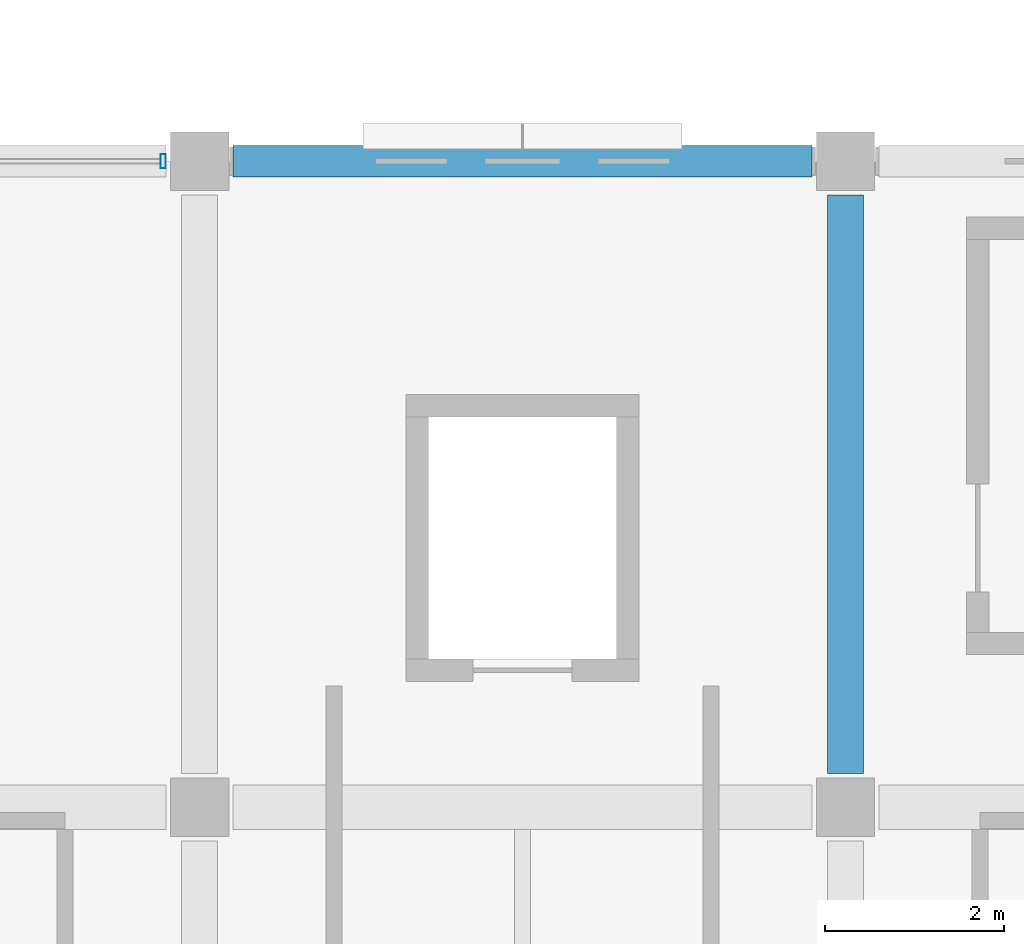
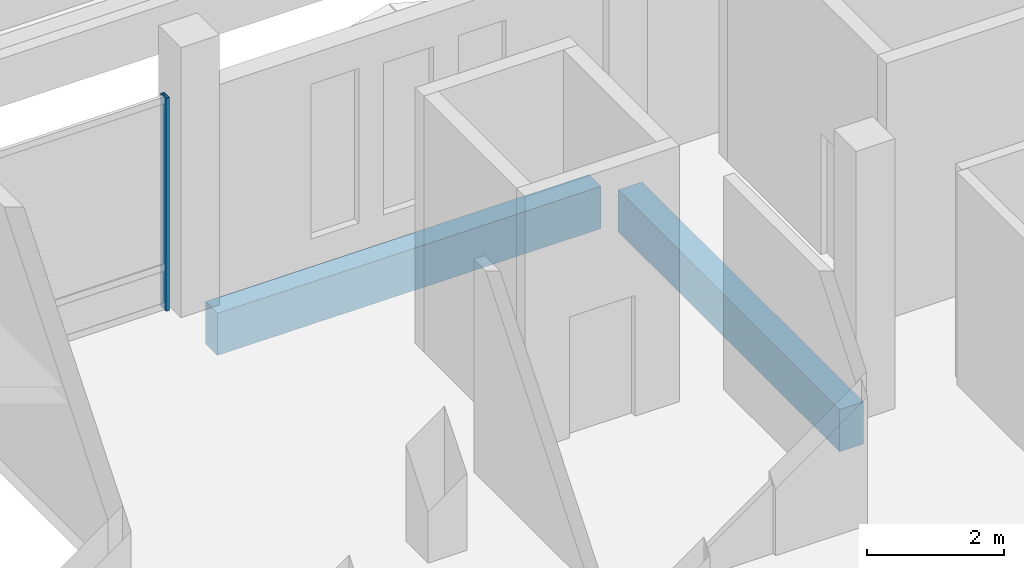
# One storey, part 31 of 116: 2 beams, 1 member, 1 element without a shape of its own.
"""IFC4 building model written with IfcOpenShell, lengths in metres."""

from ifc_helpers import new_model, si_unit, direction, frame, origin, origin_2d, place, context, subcontext, project, spatial, rectangle, hollow_rectangle, extrude, material, material_profile, profile_set, type_object, element, aggregate, save


model = new_model("IFC4")

# Units and contexts
model_context = context("Model", 3, precision=1e-05, world=origin(), true_north=direction((0.0, 1.0)))
body_context = subcontext(model_context, "Body", "Model", "MODEL_VIEW")
ifc_project = project(units=[si_unit("LENGTHUNIT", "METRE"), si_unit("AREAUNIT", "SQUARE_METRE"), si_unit("VOLUMEUNIT", "CUBIC_METRE"), si_unit("PLANEANGLEUNIT", "RADIAN"), si_unit("MASSUNIT", "GRAM", prefix="KILO")], contexts=[model_context])

# Site, building, storey
site_placement = place(None, origin())
site = spatial("IfcSite", under=ifc_project, at=site_placement, CompositionType="ELEMENT")
building_placement = place(site_placement, origin())
building = spatial("IfcBuilding", under=site, at=building_placement, Name="Cendralis Lancet Convention Centre", CompositionType="ELEMENT")
storey_placement = place(building_placement, frame((0.0, 0.0, 15.0)))
storey = spatial("IfcBuildingStorey", under=building, at=storey_placement, Name="L03", CompositionType="ELEMENT", Elevation=15.0)

# Curtain wall, member
ifc_material_1 = material(Name="Anodised bronze architectural aluminium", Category="aluminium")
curtain_wall_type = type_object("IfcCurtainWallType", Name="ARC-CW-CL02", PredefinedType="USERDEFINED", material=ifc_material_1)
curtain_wall_placement = place(storey_placement, origin())
curtain_wall = element("IfcCurtainWall", 1, at=curtain_wall_placement, inside=storey, type_object=curtain_wall_type, Name="L03 Curtain Wall CW-CL2 #188", ObjectType="CURTAIN WALL", PredefinedType="USERDEFINED")
ifc_material_profile_1 = material_profile(ifc_material_1, hollow_rectangle(XDim=0.06005859375, YDim=0.159912109375, WallThickness=0.00390625, at=origin_2d()), Name="AL-MULL 60x160x4.0")
ifc_profile_set_1 = profile_set([ifc_material_profile_1], Name="Anodised bronze architectural aluminium")
member_type = type_object("IfcMemberType", Name="ARC-CW-ML01", PredefinedType="MULLION", material=ifc_profile_set_1)
member_placement = place(storey_placement, frame((160.39501953125, 36.0, 0.0), z_axis=(0.0, 0.0, 1.0), x_axis=(1.0, 0.0, 0.0)))
member = element("IfcMember", 2, at=member_placement, type_object=member_type, Name="Mullion CW2-CW-CL2-L03-188-M2", PredefinedType="MULLION", context=body_context, shape_type="SweptSolid", body=[
    extrude(hollow_rectangle(XDim=0.06005859375, YDim=0.159912109375, WallThickness=0.00390625, at=origin_2d()), origin(), (0.0, 0.0, 1.0), 3.784912109375),
])
aggregate(curtain_wall, [member])

# Beams
ifc_material_2 = material(Name="Concrete G35 (C35/45)", Category="concrete")
ifc_material_profile_2 = material_profile(ifc_material_2, rectangle(XDim=0.39990234375, YDim=0.75, at=origin_2d()), Name="RCB 400x750")
ifc_profile_set_2 = profile_set([ifc_material_profile_2], Name="Concrete G35 (C35/45)")
beam_type_1 = type_object("IfcBeamType", Name="STR-BM-BG12", PredefinedType="BEAM", material=ifc_profile_set_2)
beam_1_placement = place(storey_placement, frame((168.0, 29.175048828125, -0.635009765625), z_axis=(0.0, 1.0, 0.0), x_axis=(-1.0, 0.0, 0.0)))
element("IfcBeam", 3, at=beam_1_placement, inside=storey, type_object=beam_type_1, Name="L03 Beam BG12 #0451", PredefinedType="BEAM", context=body_context, shape_type="SweptSolid", body=[
    extrude(rectangle(XDim=0.39990234375, YDim=0.75, at=origin_2d()), origin(), (0.0, 0.0, 1.0), 6.449951171875),
])
ifc_material_3 = material(Name="Concrete G40 (C40/50)", Category="concrete")
ifc_material_profile_3 = material_profile(ifc_material_3, rectangle(XDim=0.35009765625, YDim=0.75, at=origin_2d()), Name="RCB 350x750")
ifc_profile_set_3 = profile_set([ifc_material_profile_3], Name="Concrete G40 (C40/50)")
beam_type_2 = type_object("IfcBeamType", Name="STR-SP-SP01", PredefinedType="SPANDREL", material=ifc_profile_set_3)
beam_2_placement = place(storey_placement, frame((161.175048828125, 36.0, -0.635009765625), z_axis=(1.0, 0.0, 0.0), x_axis=(0.0, 1.0, 0.0)))
element("IfcBeam", 4, at=beam_2_placement, inside=storey, type_object=beam_type_2, Name="L03 Beam SP01 #0423", PredefinedType="SPANDREL", context=body_context, shape_type="SweptSolid", body=[
    extrude(rectangle(XDim=0.35009765625, YDim=0.75, at=origin_2d()), origin(), (0.0, 0.0, 1.0), 6.449951171875),
])

save(model, "model.ifc")
